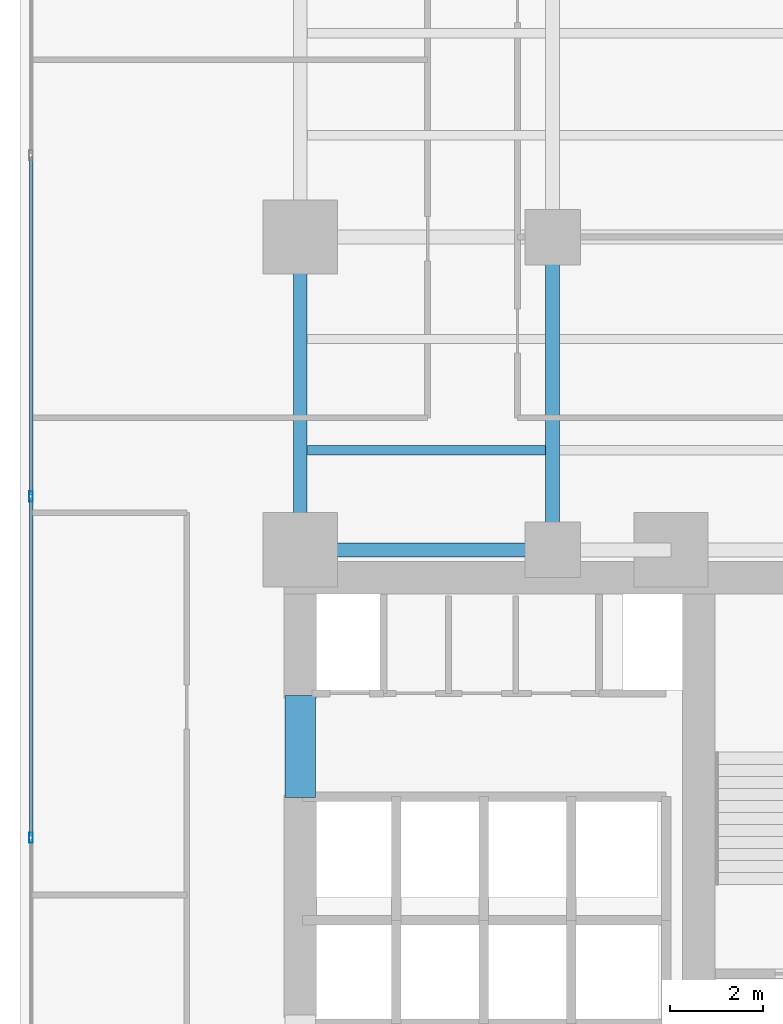
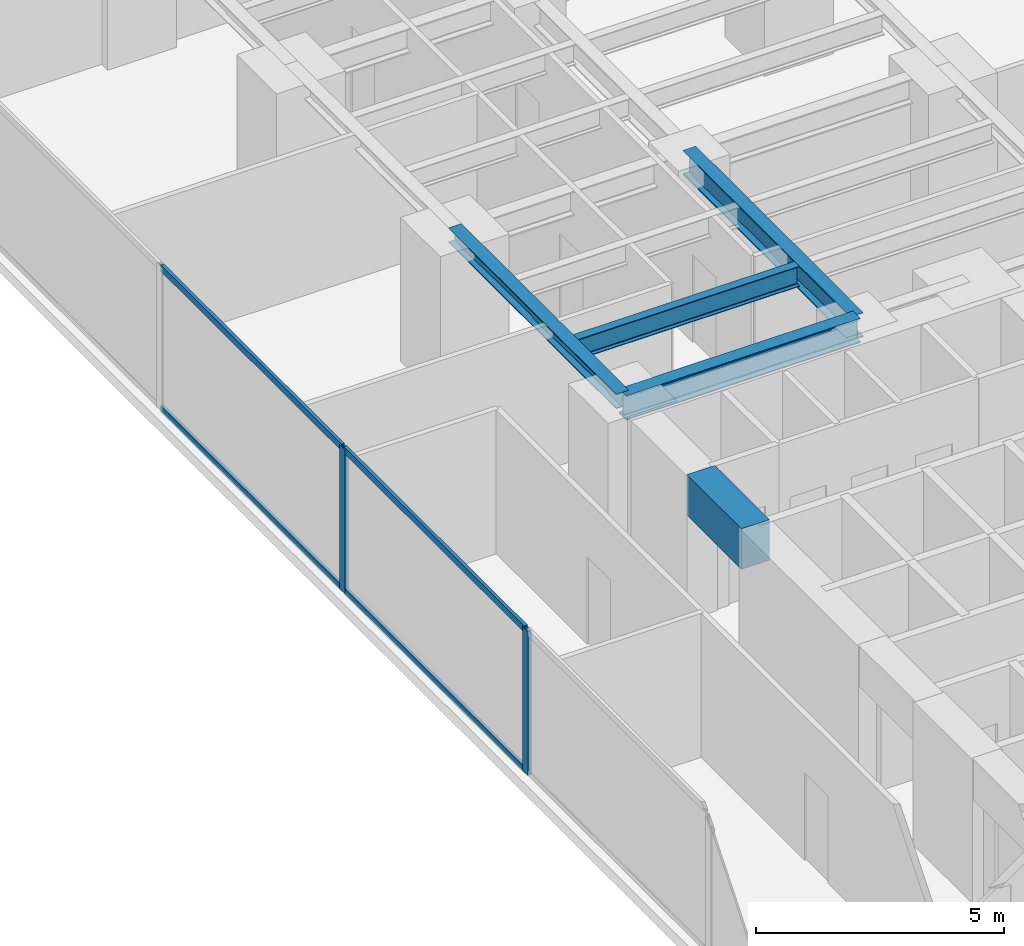
# One storey, part 6 of 28: 6 members, 5 beams, 1 element without a shape of its own.
"""IFC4 building model written with IfcOpenShell, lengths in metres."""

from ifc_helpers import new_model, si_unit, direction, frame, origin, origin_with_axes, origin_2d, place, context, subcontext, project, spatial, rectangle, hollow_rectangle, i_section, extrude, source, transform, mapped, material, layer, layer_set, material_profile, profile_set, type_object, element, aggregate, save


model = new_model("IFC4")

# Units and contexts
model_context = context("Model", 3, precision=1e-05, world=origin(), true_north=direction((0.0, 1.0)))
body_context = subcontext(model_context, "Body", "Model", "MODEL_VIEW")
ifc_project = project(units=[si_unit("LENGTHUNIT", "METRE"), si_unit("AREAUNIT", "SQUARE_METRE"), si_unit("VOLUMEUNIT", "CUBIC_METRE"), si_unit("PLANEANGLEUNIT", "RADIAN"), si_unit("MASSUNIT", "GRAM", prefix="KILO")], contexts=[model_context])

# Site, building, storey
site_placement = place(None, origin())
site = spatial("IfcSite", under=ifc_project, at=site_placement, CompositionType="ELEMENT")
building_placement = place(site_placement, origin())
building = spatial("IfcBuilding", under=site, at=building_placement, Name="Kolvaren Waterfront Exchange", CompositionType="ELEMENT")
storey_placement = place(building_placement, frame((0.0, 0.0, 75.199951171875)))
storey = spatial("IfcBuildingStorey", under=building, at=storey_placement, Name="L19", CompositionType="ELEMENT", Elevation=75.199951171875)

# Beams
ifc_material_1 = material(Name="Steel S355", Category="steel")
ifc_material_profile_1 = material_profile(ifc_material_1, i_section(OverallWidth=0.300048828125, OverallDepth=0.360107421875, WebThickness=0.012451171875, FlangeThickness=0.0224609375, FilletRadius=0.027099609375, at=origin_2d()), Name="HEB360")
ifc_profile_set_1 = profile_set([ifc_material_profile_1], Name="Steel S355")
beam_type_1 = type_object("IfcBeamType", Name="STR-BM-HEB360", PredefinedType="SPANDREL", material=ifc_profile_set_1)
beam_1_placement = place(storey_placement, frame((7.449951171875, 24.449951171875, 3.360107421875), z_axis=(0.0, 1.0, 0.0), x_axis=(-1.0, 0.0, 0.0)))
element("IfcBeam", 1, at=beam_1_placement, inside=storey, type_object=beam_type_1, Name="L19 north-arm edge beam 1", PredefinedType="SPANDREL", context=body_context, shape_type="SweptSolid", body=[
    extrude(i_section(OverallWidth=0.300048828125, OverallDepth=0.360107421875, WebThickness=0.012451171875, FlangeThickness=0.0224609375, FilletRadius=0.027099609375, at=origin_2d()), origin(), (0.0, 0.0, 1.0), 6.75),
])
ifc_material_profile_2 = material_profile(ifc_material_1, i_section(OverallWidth=0.300048828125, OverallDepth=0.60009765625, WebThickness=0.015380859375, FlangeThickness=0.030029296875, FilletRadius=0.027099609375, at=origin_2d()), Name="HEB600")
ifc_profile_set_2 = profile_set([ifc_material_profile_2], Name="Steel S355")
beam_type_2 = type_object("IfcBeamType", Name="STR-BM-HEB600", PredefinedType="BEAM", material=ifc_profile_set_2)
beam_2_placement = place(storey_placement, frame((7.449951171875, 24.449951171875, 3.239990234375), z_axis=(1.0, 0.0, 0.0), x_axis=(0.0, 1.0, 0.0)))
element("IfcBeam", 2, at=beam_2_placement, inside=storey, type_object=beam_type_2, Name="L19 north-arm girder 1A", PredefinedType="BEAM", context=body_context, shape_type="SweptSolid", body=[
    extrude(i_section(OverallWidth=0.300048828125, OverallDepth=0.60009765625, WebThickness=0.015380859375, FlangeThickness=0.030029296875, FilletRadius=0.027099609375, at=origin_2d()), origin(), (0.0, 0.0, 1.0), 5.449951171875),
])
beam_3_placement = place(storey_placement, frame((12.89990234375, 24.449951171875, 3.239990234375), z_axis=(0.0, 1.0, 0.0), x_axis=(-1.0, 0.0, 0.0)))
element("IfcBeam", 3, at=beam_3_placement, inside=storey, type_object=beam_type_2, Name="L19 north-arm edge beam 1", PredefinedType="BEAM", context=body_context, shape_type="SweptSolid", body=[
    extrude(i_section(OverallWidth=0.300048828125, OverallDepth=0.60009765625, WebThickness=0.015380859375, FlangeThickness=0.030029296875, FilletRadius=0.027099609375, at=origin_2d()), origin(), (0.0, 0.0, 1.0), 6.75),
])
ifc_material_profile_3 = material_profile(ifc_material_1, i_section(OverallWidth=0.199951171875, OverallDepth=0.5, WebThickness=0.01025390625, FlangeThickness=0.01611328125, FilletRadius=0.02099609375, at=origin_2d()), Name="IPE500")
ifc_profile_set_3 = profile_set([ifc_material_profile_3], Name="Steel S355")
beam_type_3 = type_object("IfcBeamType", Name="STR-BM-IPE500", PredefinedType="JOIST", material=ifc_profile_set_3)
beam_4_placement = place(storey_placement, frame((7.60205078125, 26.60009765625, 3.2900390625), z_axis=(1.0, 0.0, 0.0), x_axis=(0.0, 1.0, 0.0)))
element("IfcBeam", 4, at=beam_4_placement, inside=storey, type_object=beam_type_3, Name="L19 north-arm composite joist 1A", PredefinedType="JOIST", context=body_context, shape_type="SweptSolid", body=[
    extrude(i_section(OverallWidth=0.199951171875, OverallDepth=0.5, WebThickness=0.01025390625, FlangeThickness=0.01611328125, FilletRadius=0.02099609375, at=origin_2d()), origin(), (0.0, 0.0, 1.0), 5.14599609375),
])
ifc_material_2 = material(Name="Concrete C60/75", Category="concrete")
ifc_material_profile_4 = material_profile(ifc_material_2, rectangle(XDim=0.64990234375, YDim=1.0, at=origin_2d()), Name="RC-CB-1000x650")
ifc_profile_set_4 = profile_set([ifc_material_profile_4], Name="Concrete C60/75")
beam_type_4 = type_object("IfcBeamType", Name="STR-CB-1000", PredefinedType="SPANDREL", material=ifc_profile_set_4)
beam_5_placement = place(storey_placement, frame((7.449951171875, 19.10009765625, 3.0400390625), z_axis=(0.0, 1.0, 0.0), x_axis=(-1.0, 0.0, 0.0)))
element("IfcBeam", 5, at=beam_5_placement, inside=storey, type_object=beam_type_4, Name="L19 core coupling beam 5", PredefinedType="SPANDREL", context=body_context, shape_type="SweptSolid", body=[
    extrude(rectangle(XDim=0.64990234375, YDim=1.0, at=origin_2d()), origin(), (0.0, 0.0, 1.0), 2.199951171875),
])

# Curtain wall, members
ifc_material_3 = material(Name="Anodised aluminium 6063-T6", Category="aluminium")
ifc_layer = layer(ifc_material_3, 0.219970703125, Name="Anodised aluminium 6063-T6")
ifc_layer_set = layer_set([ifc_layer], Name="Anodised aluminium 6063-T6")
curtain_wall_type = type_object("IfcCurtainWallType", Name="ARC-CW-SYS2", PredefinedType="USERDEFINED", material=ifc_layer_set)
curtain_wall_placement = place(storey_placement, origin())
curtain_wall = element("IfcCurtainWall", 6, at=curtain_wall_placement, inside=storey, type_object=curtain_wall_type, Name="L19 stick curtain wall CW2 (CW-L19-W)", ObjectType="STICK CURTAIN WALL", PredefinedType="USERDEFINED")
ifc_material_profile_5 = material_profile(ifc_material_3, hollow_rectangle(XDim=0.074951171875, YDim=0.159912109375, WallThickness=0.00439453125, at=origin_2d()), Name="ALU-TRN-160x75x4.5")
ifc_profile_set_5 = profile_set([ifc_material_profile_5], Name="Anodised aluminium 6063-T6")
member_type_1 = type_object("IfcMemberType", Name="ARC-CWT-160", PredefinedType="USERDEFINED", material=ifc_profile_set_5)
shared_shape_1 = source(origin_with_axes(), body_context, "Body", "SweptSolid", [
    extrude(hollow_rectangle(XDim=0.074951171875, YDim=0.159912109375, WallThickness=0.00439453125, at=origin_2d()), origin(), (0.0, 0.0, 1.0), 7.28662109375),
])
member_1_placement = place(storey_placement, frame((1.639892578125, 18.2734375, 0.03759765625), z_axis=(0.0, 1.0, 0.0), x_axis=(-1.0, 0.0, 0.0)))
member_1 = element("IfcMember", 7, at=member_1_placement, type_object=member_type_1, Name="CW2 transom 3.1", ObjectType="TRANSOM", PredefinedType="USERDEFINED", context=body_context, shape_type="MappedRepresentation", body=[
    mapped(shared_shape_1, transform((0.0, 0.0, 0.0), x_axis=(1.0, 0.0, 0.0), y_axis=(0.0, 1.0, 0.0), z_axis=(0.0, 0.0, 1.0), scale=1.0)),
])
member_2_placement = place(storey_placement, frame((1.639892578125, 18.2734375, 3.50244140625), z_axis=(0.0, 1.0, 0.0), x_axis=(-1.0, 0.0, 0.0)))
member_2 = element("IfcMember", 8, at=member_2_placement, type_object=member_type_1, Name="CW2 transom 3.2", ObjectType="TRANSOM", PredefinedType="USERDEFINED", context=body_context, shape_type="MappedRepresentation", body=[
    mapped(shared_shape_1, transform((0.0, 0.0, 0.0), x_axis=(1.0, 0.0, 0.0), y_axis=(0.0, 1.0, 0.0), z_axis=(0.0, 0.0, 1.0), scale=1.0)),
])
shared_shape_2 = source(origin_with_axes(), body_context, "Body", "SweptSolid", [
    extrude(hollow_rectangle(XDim=0.074951171875, YDim=0.159912109375, WallThickness=0.00439453125, at=origin_2d()), origin(), (0.0, 0.0, 1.0), 7.286865234375),
])
member_3_placement = place(storey_placement, frame((1.639892578125, 25.639892578125, 0.03759765625), z_axis=(0.0, 1.0, 0.0), x_axis=(-1.0, 0.0, 0.0)))
member_3 = element("IfcMember", 9, at=member_3_placement, type_object=member_type_1, Name="CW2 transom 4.1", ObjectType="TRANSOM", PredefinedType="USERDEFINED", context=body_context, shape_type="MappedRepresentation", body=[
    mapped(shared_shape_2, transform((0.0, 0.0, 0.0), x_axis=(1.0, 0.0, 0.0), y_axis=(0.0, 1.0, 0.0), z_axis=(0.0, 0.0, 1.0), scale=1.0)),
])
member_4_placement = place(storey_placement, frame((1.639892578125, 25.639892578125, 3.50244140625), z_axis=(0.0, 1.0, 0.0), x_axis=(-1.0, 0.0, 0.0)))
member_4 = element("IfcMember", 10, at=member_4_placement, type_object=member_type_1, Name="CW2 transom 4.2", ObjectType="TRANSOM", PredefinedType="USERDEFINED", context=body_context, shape_type="MappedRepresentation", body=[
    mapped(shared_shape_2, transform((0.0, 0.0, 0.0), x_axis=(1.0, 0.0, 0.0), y_axis=(0.0, 1.0, 0.0), z_axis=(0.0, 0.0, 1.0), scale=1.0)),
])
ifc_material_profile_6 = material_profile(ifc_material_3, hollow_rectangle(XDim=0.080078125, YDim=0.219970703125, WallThickness=0.0048828125, at=origin_2d()), Name="ALU-MUL-220x80x5")
ifc_profile_set_6 = profile_set([ifc_material_profile_6], Name="Anodised aluminium 6063-T6")
member_type_2 = type_object("IfcMemberType", Name="ARC-CWM-220", PredefinedType="MULLION", material=ifc_profile_set_6)
shared_shape_3 = source(origin_with_axes(), body_context, "Body", "SweptSolid", [
    extrude(hollow_rectangle(XDim=0.080078125, YDim=0.219970703125, WallThickness=0.0048828125, at=origin_2d()), origin(), (0.0, 0.0, 1.0), 3.5400390625),
])
member_5_placement = place(storey_placement, frame((1.639892578125, 18.2333984375, 0.0), z_axis=(0.0, 0.0, 1.0), x_axis=(-1.0, 0.0, 0.0)))
member_5 = element("IfcMember", 11, at=member_5_placement, type_object=member_type_2, Name="CW2 mullion 3", PredefinedType="MULLION", context=body_context, shape_type="MappedRepresentation", body=[
    mapped(shared_shape_3, transform((0.0, 0.0, 0.0), x_axis=(1.0, 0.0, 0.0), y_axis=(0.0, 1.0, 0.0), z_axis=(0.0, 0.0, 1.0), scale=1.0)),
])
member_6_placement = place(storey_placement, frame((1.639892578125, 25.60009765625, 0.0), z_axis=(0.0, 0.0, 1.0), x_axis=(-1.0, 0.0, 0.0)))
member_6 = element("IfcMember", 12, at=member_6_placement, type_object=member_type_2, Name="CW2 mullion 4", PredefinedType="MULLION", context=body_context, shape_type="MappedRepresentation", body=[
    mapped(shared_shape_3, transform((0.0, 0.0, 0.0), x_axis=(1.0, 0.0, 0.0), y_axis=(0.0, 1.0, 0.0), z_axis=(0.0, 0.0, 1.0), scale=1.0)),
])
aggregate(curtain_wall, [member_5, member_6, member_1, member_2, member_3, member_4])

save(model, "model.ifc")
